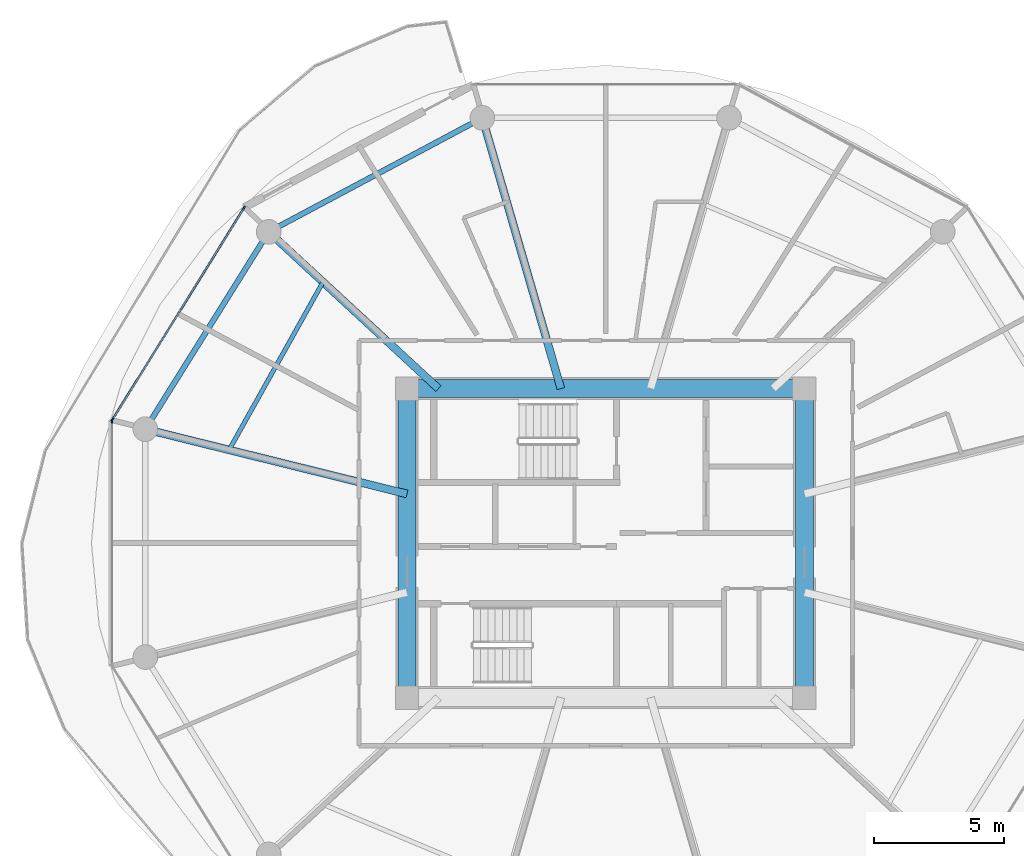
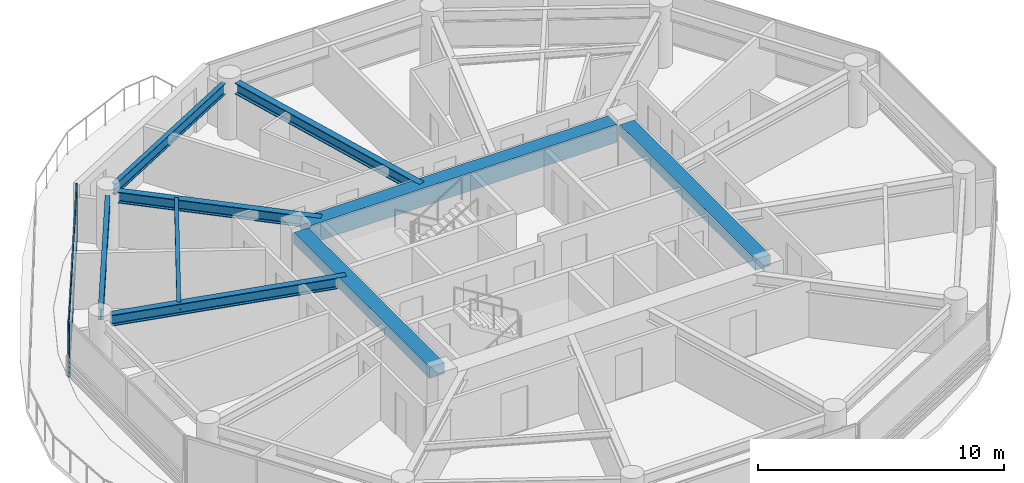
# One storey, part 4 of 27: 9 beams, 5 members, 2 elements without a shape of their own.
"""IFC4 building model written with IfcOpenShell, lengths in metres."""

from ifc_helpers import new_model, si_unit, direction, frame, origin, origin_2d, place, context, subcontext, project, spatial, rectangle, i_section, extrude, source, transform, mapped, material, layer, layer_set, material_profile, profile_set, type_object, type_shapes, element, aggregate, save


model = new_model("IFC4")

# Units and contexts
model_context = context("Model", 3, precision=1e-05, world=origin(), true_north=direction((0.0, 1.0)))
body_context = subcontext(model_context, "Body", "Model", "MODEL_VIEW")
ifc_project = project(units=[si_unit("LENGTHUNIT", "METRE"), si_unit("AREAUNIT", "SQUARE_METRE"), si_unit("VOLUMEUNIT", "CUBIC_METRE"), si_unit("PLANEANGLEUNIT", "RADIAN"), si_unit("MASSUNIT", "GRAM", prefix="KILO")], contexts=[model_context])

# Site, building, storey
site_placement = place(None, origin())
site = spatial("IfcSite", under=ifc_project, at=site_placement, CompositionType="ELEMENT")
building_placement = place(site_placement, origin())
building = spatial("IfcBuilding", under=site, at=building_placement, Name="Norrkilde Senior Care Towers", CompositionType="ELEMENT")
storey_placement = place(building_placement, frame((0.0, 0.0, 33.800048828125)))
storey = spatial("IfcBuildingStorey", under=building, at=storey_placement, Name="L09", CompositionType="ELEMENT", Elevation=33.800048828125)

# Beams
ifc_material_1 = material(Name="Concrete C60/75", Category="concrete")
ifc_material_profile_1 = material_profile(ifc_material_1, rectangle(XDim=0.699951171875, YDim=0.89990234375, at=origin_2d()), Name="RC BM 700x900")
ifc_profile_set_1 = profile_set([ifc_material_profile_1], Name="Concrete C60/75")
beam_type_1 = type_object("IfcBeamType", Name="Core Coupling Girder 700x900", PredefinedType="USERDEFINED", material=ifc_profile_set_1)
shared_shape_1 = source(origin(), body_context, "Body", "SweptSolid", [
    extrude(rectangle(XDim=0.699951171875, YDim=0.89990234375, at=origin_2d()), origin(), (0.0, 0.0, 1.0), 14.43994140625),
])
type_shapes(beam_type_1, [shared_shape_1])
beam_1_placement = place(storey_placement, frame((-35.219970703125, 5.949951171875, 2.33984375), z_axis=(1.0, 0.0, 0.0), x_axis=(0.0, 1.0, 0.0)))
element("IfcBeam", 1, at=beam_1_placement, inside=storey, type_object=beam_type_1, Name="L09 Core W N Coupling Girder", ObjectType="GIRDER", PredefinedType="USERDEFINED", context=body_context, shape_type="MappedRepresentation", body=[
    mapped(shared_shape_1, transform((0.0, 0.0, 0.0), x_axis=(1.0, 0.0, 0.0), y_axis=(0.0, 1.0, 0.0), z_axis=(0.0, 0.0, 1.0), scale=1.0)),
])
ifc_material_profile_2 = material_profile(ifc_material_1, rectangle(XDim=0.699951171875, YDim=0.550048828125, at=origin_2d()), Name="RC BM 700x550")
ifc_profile_set_2 = profile_set([ifc_material_profile_2], Name="Concrete C60/75")
beam_type_2 = type_object("IfcBeamType", Name="Core Portal Coupling Beam 700x550", PredefinedType="USERDEFINED", material=ifc_profile_set_2)
shared_shape_2 = source(origin(), body_context, "Body", "SweptSolid", [
    extrude(rectangle(XDim=0.699951171875, YDim=0.550048828125, at=origin_2d()), origin(), (0.0, 0.0, 1.0), 11.0400390625),
])
type_shapes(beam_type_2, [shared_shape_2])
for number, where, z_axis, x_axis, name in (
    (2, (-35.64990234375, -5.52001953125, 2.514892578125), (0.0, 1.0, 0.0), (-1.0, 0.0, 0.0), "L09 Core W W Coupling Girder"),
    (3, (-20.35009765625, -5.52001953125, 2.514892578125), (0.0, 1.0, 0.0), (-1.0, 0.0, 0.0), "L09 Core W E Coupling Girder"),
):
    element("IfcBeam", number, at=place(storey_placement, frame(where, z_axis=z_axis, x_axis=x_axis)), inside=storey, type_object=beam_type_2, Name=name, ObjectType="GIRDER", PredefinedType="USERDEFINED", context=body_context, shape_type="MappedRepresentation", body=[
        mapped(shared_shape_2, transform((0.0, 0.0, 0.0), x_axis=(1.0, 0.0, 0.0), y_axis=(0.0, 1.0, 0.0), z_axis=(0.0, 0.0, 1.0), scale=1.0)),
    ])
ifc_material_2 = material(Name="Steel S355", Category="steel")
ifc_material_profile_3 = material_profile(ifc_material_2, i_section(OverallWidth=0.2099609375, OverallDepth=0.550048828125, WebThickness=0.010986328125, FlangeThickness=0.01708984375, FilletRadius=0.02392578125, at=origin_2d()), Name="IPE 550")
ifc_profile_set_3 = profile_set([ifc_material_profile_3], Name="Steel S355")
beam_type_3 = type_object("IfcBeamType", Name="Perimeter Ring Spandrel Z1 IPE550", PredefinedType="SPANDREL", material=ifc_profile_set_3)
shared_shape_3 = source(origin(), body_context, "Body", "SweptSolid", [
    extrude(i_section(OverallWidth=0.2099609375, OverallDepth=0.550048828125, WebThickness=0.010986328125, FlangeThickness=0.01708984375, FilletRadius=0.02392578125, at=origin_2d()), origin(), (0.0, 0.0, 1.0), 8.090576171875),
])
beam_2_placement = place(storey_placement, frame((-41.2060546875, 11.61669921875, 2.514892578125), z_axis=(-0.530004364821, -0.84799491347, 0.0), x_axis=(0.84799491347, -0.530004364821, 0.0)))
element("IfcBeam", 4, at=beam_2_placement, inside=storey, type_object=beam_type_3, Name="L09 Drum W Perimeter Spandrel 05", PredefinedType="SPANDREL", context=body_context, shape_type="MappedRepresentation", body=[
    mapped(shared_shape_3, transform((0.0, 0.0, 0.0), x_axis=(1.0, 0.0, 0.0), y_axis=(0.0, 1.0, 0.0), z_axis=(0.0, 0.0, 1.0), scale=1.0)),
])
ifc_material_profile_4 = material_profile(ifc_material_2, i_section(OverallWidth=0.300048828125, OverallDepth=0.550048828125, WebThickness=0.014892578125, FlangeThickness=0.029052734375, FilletRadius=0.027099609375, at=origin_2d()), Name="HEB 550")
ifc_profile_set_4 = profile_set([ifc_material_profile_4], Name="Steel S355")
beam_type_4 = type_object("IfcBeamType", Name="Radial Floor Beam Z1 HEB550", PredefinedType="BEAM", material=ifc_profile_set_4)
shared_shape_4 = source(origin(), body_context, "Body", "SweptSolid", [
    extrude(i_section(OverallWidth=0.300048828125, OverallDepth=0.550048828125, WebThickness=0.014892578125, FlangeThickness=0.029052734375, FilletRadius=0.027099609375, at=origin_2d()), origin(), (0.0, 0.0, 1.0), 9.94384765625),
])
beam_3_placement = place(storey_placement, frame((-35.64990234375, 1.893310546875, 2.514892578125), z_axis=(-0.970707425182, 0.240264634718, 0.0), x_axis=(-0.240264634718, -0.970707425182, 0.0)))
element("IfcBeam", 5, at=beam_3_placement, inside=storey, type_object=beam_type_4, Name="L09 Drum W Radial Floor Beam 06", PredefinedType="BEAM", context=body_context, shape_type="MappedRepresentation", body=[
    mapped(shared_shape_4, transform((0.0, 0.0, 0.0), x_axis=(1.0, 0.0, 0.0), y_axis=(0.0, 1.0, 0.0), z_axis=(0.0, 0.0, 1.0), scale=1.0)),
])
shared_shape_5 = source(origin(), body_context, "Body", "SweptSolid", [
    extrude(i_section(OverallWidth=0.2099609375, OverallDepth=0.550048828125, WebThickness=0.010986328125, FlangeThickness=0.01708984375, FilletRadius=0.02392578125, at=origin_2d()), origin(), (0.0, 0.0, 1.0), 8.452880859375),
])
type_shapes(beam_type_3, [shared_shape_3, shared_shape_5])
beam_4_placement = place(storey_placement, frame((-33.133056640625, 16.167724609375, 2.514892578125), z_axis=(-0.882368931134, -0.470558252898, 0.0), x_axis=(0.470558252898, -0.882368931134, 0.0)))
element("IfcBeam", 6, at=beam_4_placement, inside=storey, type_object=beam_type_3, Name="L09 Drum W Perimeter Spandrel 04", PredefinedType="SPANDREL", context=body_context, shape_type="MappedRepresentation", body=[
    mapped(shared_shape_5, transform((0.0, 0.0, 0.0), x_axis=(1.0, 0.0, 0.0), y_axis=(0.0, 1.0, 0.0), z_axis=(0.0, 0.0, 1.0), scale=1.0)),
])
shared_shape_6 = source(origin(), body_context, "Body", "SweptSolid", [
    extrude(i_section(OverallWidth=0.300048828125, OverallDepth=0.550048828125, WebThickness=0.014892578125, FlangeThickness=0.029052734375, FilletRadius=0.027099609375, at=origin_2d()), origin(), (0.0, 0.0, 1.0), 8.459716796875),
])
beam_5_placement = place(storey_placement, frame((-34.44140625, 5.949951171875, 2.514892578125), z_axis=(-0.734573269108, 0.678529374686, 0.0), x_axis=(-0.678529374686, -0.734573269108, 0.0)))
element("IfcBeam", 7, at=beam_5_placement, inside=storey, type_object=beam_type_4, Name="L09 Drum W Radial Floor Beam 05", PredefinedType="BEAM", context=body_context, shape_type="MappedRepresentation", body=[
    mapped(shared_shape_6, transform((0.0, 0.0, 0.0), x_axis=(1.0, 0.0, 0.0), y_axis=(0.0, 1.0, 0.0), z_axis=(0.0, 0.0, 1.0), scale=1.0)),
])
shared_shape_7 = source(origin(), body_context, "Body", "SweptSolid", [
    extrude(i_section(OverallWidth=0.300048828125, OverallDepth=0.550048828125, WebThickness=0.014892578125, FlangeThickness=0.029052734375, FilletRadius=0.027099609375, at=origin_2d()), origin(), (0.0, 0.0, 1.0), 10.4169921875),
])
type_shapes(beam_type_4, [shared_shape_4, shared_shape_6, shared_shape_7])
beam_6_placement = place(storey_placement, frame((-29.72607421875, 5.949951171875, 2.514892578125), z_axis=(-0.278591250785, 0.960409764104, 0.0), x_axis=(-0.960409764104, -0.278591250785, 0.0)))
element("IfcBeam", 8, at=beam_6_placement, inside=storey, type_object=beam_type_4, Name="L09 Drum W Radial Floor Beam 04", PredefinedType="BEAM", context=body_context, shape_type="MappedRepresentation", body=[
    mapped(shared_shape_7, transform((0.0, 0.0, 0.0), x_axis=(1.0, 0.0, 0.0), y_axis=(0.0, 1.0, 0.0), z_axis=(0.0, 0.0, 1.0), scale=1.0)),
])
ifc_material_profile_5 = material_profile(ifc_material_2, i_section(OverallWidth=0.169921875, OverallDepth=0.360107421875, WebThickness=0.008056640625, FlangeThickness=0.0126953125, FilletRadius=0.01806640625, at=origin_2d()), Name="IPE 360")
ifc_profile_set_5 = profile_set([ifc_material_profile_5], Name="Steel S355")
beam_type_5 = type_object("IfcBeamType", Name="Secondary Floor Joist IPE360", PredefinedType="JOIST", material=ifc_profile_set_5)
shared_shape_8 = source(origin(), body_context, "Body", "SweptSolid", [
    extrude(i_section(OverallWidth=0.169921875, OverallDepth=0.360107421875, WebThickness=0.008056640625, FlangeThickness=0.0126953125, FilletRadius=0.01806640625, at=origin_2d()), origin(), (0.0, 0.0, 1.0), 7.40771484375),
])
type_shapes(beam_type_5, [shared_shape_8])
beam_7_placement = place(storey_placement, frame((-38.884521484375, 10.05419921875, 2.60986328125), z_axis=(-0.488167754092, -0.872749817453, 0.0), x_axis=(0.872749817453, -0.488167754092, 0.0)))
element("IfcBeam", 9, at=beam_7_placement, inside=storey, type_object=beam_type_5, Name="L09 Drum W Secondary Floor Joist 2", PredefinedType="JOIST", context=body_context, shape_type="MappedRepresentation", body=[
    mapped(shared_shape_8, transform((0.0, 0.0, 0.0), x_axis=(1.0, 0.0, 0.0), y_axis=(0.0, 1.0, 0.0), z_axis=(0.0, 0.0, 1.0), scale=1.0)),
])

# Curtain wall, members
ifc_material_3 = material(Name="Triple Low-E Insulated Glazing", Category="glass")
ifc_layer = layer(ifc_material_3, 0.199951171875)
ifc_layer_set = layer_set([ifc_layer], Name="Triple Low-E Insulated Glazing")
curtain_wall_type = type_object("IfcCurtainWallType", Name="CW2 Zone 1 Memory Care Curtain Wall", PredefinedType="NOTDEFINED", material=ifc_layer_set)
curtain_wall_1_placement = place(storey_placement, origin())
curtain_wall_1 = element("IfcCurtainWall", 10, at=curtain_wall_1_placement, inside=storey, type_object=curtain_wall_type, Name="L09 Drum W Curtain Wall 04", PredefinedType="NOTDEFINED")
ifc_material_4 = material(Name="Anodised Aluminium", Category="aluminium")
ifc_material_profile_6 = material_profile(ifc_material_4, rectangle(XDim=0.06494140625, YDim=0.159912109375, at=origin_2d()), Name="ALU MULL 65x160")
ifc_profile_set_6 = profile_set([ifc_material_profile_6], Name="Anodised Aluminium")
member_type_1 = type_object("IfcMemberType", Name="Curtain Wall Mullion Z1-Z2 65x160", PredefinedType="MULLION", material=ifc_profile_set_6)
shared_shape_9 = source(origin(), body_context, "Body", "SweptSolid", [
    extrude(rectangle(XDim=0.06494140625, YDim=0.159912109375, at=origin_2d()), origin(), (0.0, 0.0, 1.0), 2.7900390625),
])
type_shapes(member_type_1, [shared_shape_9])
member_1_placement = place(storey_placement, frame((-46.9921875, 4.7587890625, 0.0), z_axis=(0.0, 0.0, 1.0), x_axis=(-0.849305943117, 0.527900951871, 0.0)))
member_1 = element("IfcMember", 11, at=member_1_placement, type_object=member_type_1, Name="CW-2 mullion 1", PredefinedType="MULLION", context=body_context, shape_type="MappedRepresentation", body=[
    mapped(shared_shape_9, transform((0.0, 0.0, 0.0), x_axis=(1.0, 0.0, 0.0), y_axis=(0.0, 1.0, 0.0), z_axis=(0.0, 0.0, 1.0), scale=1.0)),
])
member_2_placement = place(storey_placement, frame((-41.93310546875, 12.898193359375, 0.0), z_axis=(0.0, 0.0, 1.0), x_axis=(-0.849305943117, 0.527900951871, 0.0)))
member_2 = element("IfcMember", 12, at=member_2_placement, type_object=member_type_1, Name="CW-2 mullion 2", PredefinedType="MULLION", context=body_context, shape_type="MappedRepresentation", body=[
    mapped(shared_shape_9, transform((0.0, 0.0, 0.0), x_axis=(1.0, 0.0, 0.0), y_axis=(0.0, 1.0, 0.0), z_axis=(0.0, 0.0, 1.0), scale=1.0)),
])

# Curtain wall, member
curtain_wall_2_placement = place(storey_placement, origin())
curtain_wall_2 = element("IfcCurtainWall", 13, at=curtain_wall_2_placement, inside=storey, type_object=curtain_wall_type, Name="L09 Drum W Curtain Wall 05", PredefinedType="NOTDEFINED")
member_3_placement = place(storey_placement, frame((-47.009521484375, 4.69873046875, 0.0), z_axis=(0.0, 0.0, 1.0), x_axis=(-1.0, 0.0, 0.0)))
member_3 = element("IfcMember", 14, at=member_3_placement, type_object=member_type_1, Name="CW-2 mullion 2", PredefinedType="MULLION", context=body_context, shape_type="MappedRepresentation", body=[
    mapped(shared_shape_9, transform((0.0, 0.0, 0.0), x_axis=(1.0, 0.0, 0.0), y_axis=(0.0, 1.0, 0.0), z_axis=(0.0, 0.0, 1.0), scale=1.0)),
])
aggregate(curtain_wall_2, [member_3])

# Member
ifc_material_profile_7 = material_profile(ifc_material_4, rectangle(XDim=0.06005859375, YDim=0.1201171875, at=origin_2d()), Name="ALU TRAN 60x120")
ifc_profile_set_7 = profile_set([ifc_material_profile_7], Name="Anodised Aluminium")
member_type_2 = type_object("IfcMemberType", Name="Curtain Wall Transom Typical 60x120", PredefinedType="USERDEFINED", material=ifc_profile_set_7)
shared_shape_10 = source(origin(), body_context, "Body", "SweptSolid", [
    extrude(rectangle(XDim=0.06005859375, YDim=0.1201171875, at=origin_2d()), origin(), (0.0, 0.0, 1.0), 9.5185546875),
])
type_shapes(member_type_2, [shared_shape_10])
member_4_placement = place(storey_placement, frame((-46.97509765625, 4.786376953125, 0.030029296875), z_axis=(0.527901620669, 0.849305527413, 0.0), x_axis=(-0.849305527413, 0.527901620669, 0.0)))
member_4 = element("IfcMember", 15, at=member_4_placement, type_object=member_type_2, Name="CW-2 transom 1.1", ObjectType="TRANSOM", PredefinedType="USERDEFINED", context=body_context, shape_type="MappedRepresentation", body=[
    mapped(shared_shape_10, transform((0.0, 0.0, 0.0), x_axis=(1.0, 0.0, 0.0), y_axis=(0.0, 1.0, 0.0), z_axis=(0.0, 0.0, 1.0), scale=1.0)),
])

member_5_placement = place(storey_placement, frame((-46.97509765625, 4.786376953125, 2.760009765625), z_axis=(0.527901620669, 0.849305527413, 0.0), x_axis=(-0.849305527413, 0.527901620669, 0.0)))
member_5 = element("IfcMember", 16, at=member_5_placement, type_object=member_type_2, Name="CW-2 transom 1.2", ObjectType="TRANSOM", PredefinedType="USERDEFINED", context=body_context, shape_type="MappedRepresentation", body=[
    mapped(shared_shape_10, transform((0.0, 0.0, 0.0), x_axis=(1.0, 0.0, 0.0), y_axis=(0.0, 1.0, 0.0), z_axis=(0.0, 0.0, 1.0), scale=1.0)),
])

aggregate(curtain_wall_1, [member_1, member_2, member_4, member_5])

save(model, "model.ifc")
